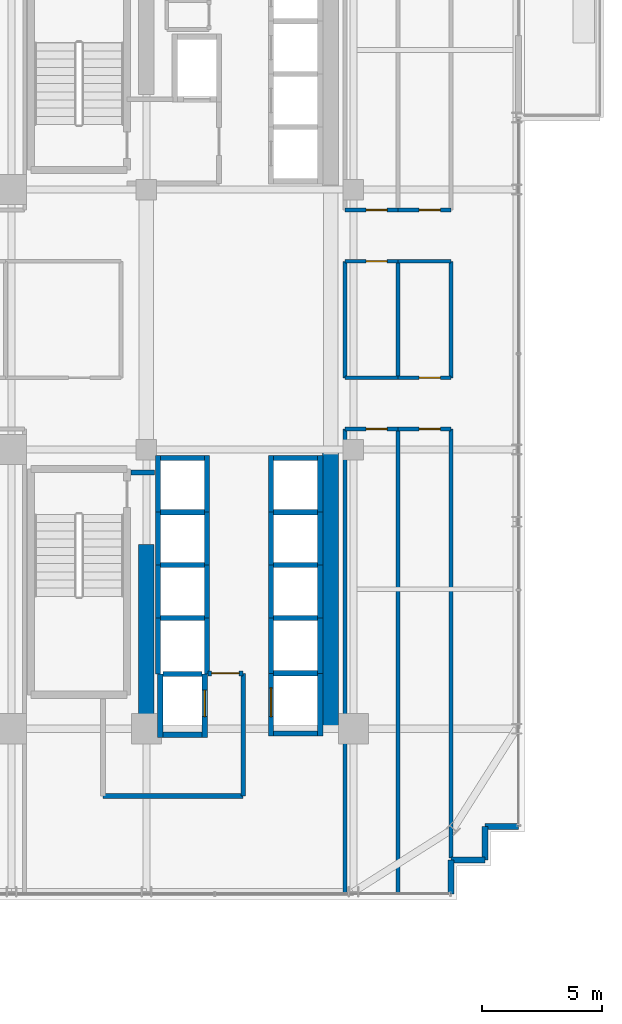
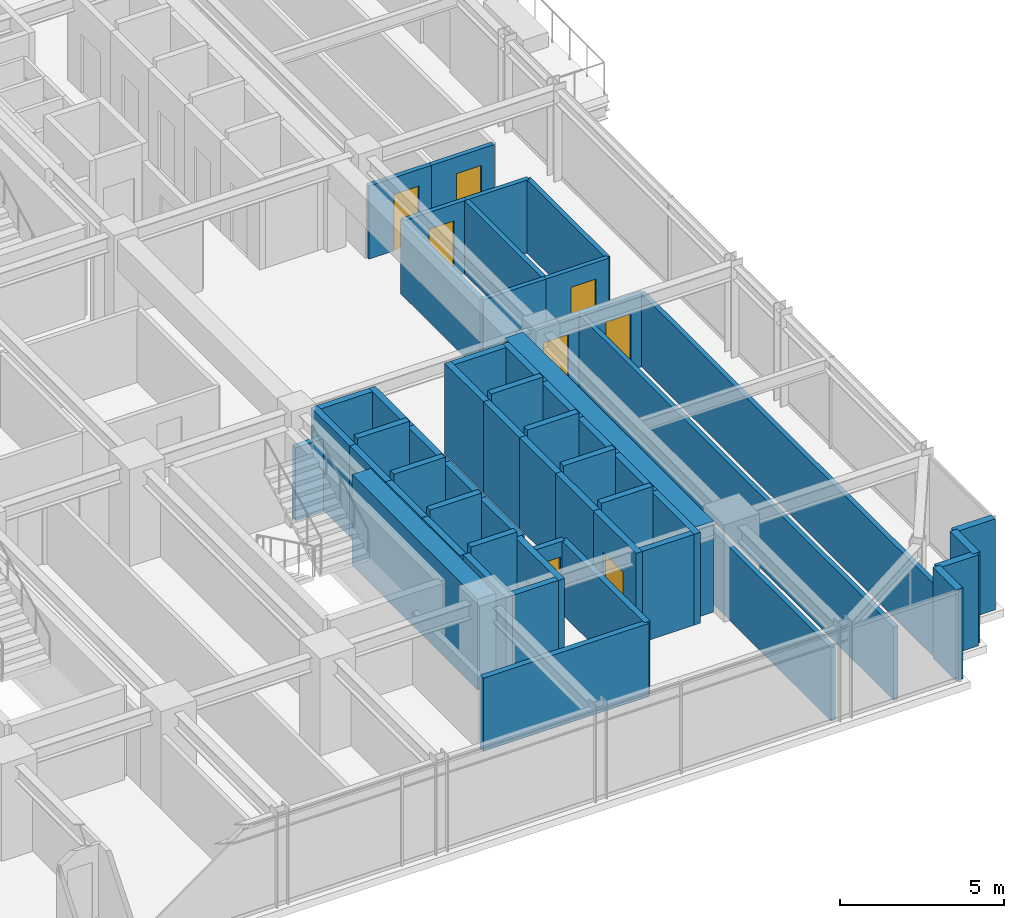
# One storey, part 28 of 33: 56 walls, 9 doors, 9 openings.
"""IFC4 building model written with IfcOpenShell, lengths in metres."""

from ifc_helpers import new_model, si_unit, direction, frame, frame_2d, origin, place, context, subcontext, project, spatial, rectangle, extrude, source, transform, mapped, material, layer, layer_set, type_object, element, fill, save


model = new_model("IFC4")

# Units and contexts
model_context = context("Model", 3, precision=1e-05, world=origin(), true_north=direction((0.0, 1.0)))
body_context = subcontext(model_context, "Body", "Model", "MODEL_VIEW")
ifc_project = project(units=[si_unit("LENGTHUNIT", "METRE"), si_unit("AREAUNIT", "SQUARE_METRE"), si_unit("VOLUMEUNIT", "CUBIC_METRE"), si_unit("PLANEANGLEUNIT", "RADIAN"), si_unit("MASSUNIT", "GRAM", prefix="KILO")], contexts=[model_context])

# Site, building, storey
site_placement = place(None, origin())
site = spatial("IfcSite", under=ifc_project, at=site_placement, CompositionType="ELEMENT")
building_placement = place(site_placement, origin())
building = spatial("IfcBuilding", under=site, at=building_placement, Name="Nahalor Promenade Grand Hotel", CompositionType="ELEMENT")
storey_placement = place(building_placement, frame((0.0, 0.0, 132.10009765625)))
storey = spatial("IfcBuildingStorey", under=building, at=storey_placement, Name="L33", CompositionType="ELEMENT", Elevation=132.10009765625)

# Walls
ifc_material_1 = material(Name="Concrete B-60 (C50/60)", Category="concrete")
ifc_layer_1 = layer(ifc_material_1, 0.64990234375)
ifc_layer_set_1 = layer_set([ifc_layer_1], Name="Concrete B-60 (C50/60)")
wall_type_1 = type_object("IfcWallType", Name="Wall-CoreShear-650", PredefinedType="SHEAR", material=ifc_layer_set_1)
shared_shape_1 = source(origin(), body_context, "Body", "SweptSolid", [
    extrude(rectangle(XDim=7.64990234375, YDim=0.64990234375, at=frame_2d((3.824951171875, 0.0))), origin(), (0.0, 0.0, 1.0), 3.3798828125),
])
wall_1_placement = place(storey_placement, frame((8.39990234375, -17.0, 0.0), z_axis=(0.0, 0.0, 1.0), x_axis=(0.0, 1.0, 0.0)))
element("IfcWall", 1, at=wall_1_placement, inside=storey, type_object=wall_type_1, Name="CWALL-L33-SW", PredefinedType="SHEAR", context=body_context, shape_type="MappedRepresentation", body=[
    mapped(shared_shape_1, transform((0.0, 0.0, 0.0), scale=1.0)),
])
shared_shape_2 = source(origin(), body_context, "Body", "SweptSolid", [
    extrude(rectangle(XDim=11.60009765625, YDim=0.64990234375, at=frame_2d((5.800048828125, 0.0))), origin(), (0.0, 0.0, 1.0), 3.3798828125),
])
wall_2_placement = place(storey_placement, frame((16.050048828125, -17.0, 0.0), z_axis=(0.0, 0.0, 1.0), x_axis=(0.0, 1.0, 0.0)))
element("IfcWall", 2, at=wall_2_placement, inside=storey, type_object=wall_type_1, Name="CWALL-L33-SE", PredefinedType="SHEAR", context=body_context, shape_type="MappedRepresentation", body=[
    mapped(shared_shape_2, transform((0.0, 0.0, 0.0), scale=1.0)),
])
ifc_material_2 = material(Name="Concrete B-50 (C40/50)", Category="concrete")
ifc_layer_2 = layer(ifc_material_2, 0.219970703125)
ifc_layer_set_2 = layer_set([ifc_layer_2], Name="Concrete B-50 (C40/50)")
wall_type_2 = type_object("IfcWallType", Name="Wall-LiftShaft-220", PredefinedType="SHEAR", material=ifc_layer_set_2)
shared_shape_3 = source(origin(), body_context, "Body", "SweptSolid", [
    extrude(rectangle(XDim=1.820068359375, YDim=0.219970703125, at=frame_2d((0.91015625, 0.0))), origin(), (0.0, 0.0, 1.0), 3.64990234375),
])
for number, where, z_axis, x_axis, name in (
    (3, (13.68994140625, -8.0, 0.0), (0.0, 0.0, 1.0), (1.0, 0.0, 0.0), "L33 Lift PL6 Hoistway Wall N"),
    (4, (13.68994140625, -10.199951171875, 0.0), (0.0, 0.0, 1.0), (1.0, 0.0, 0.0), "L33 Lift PL7 Hoistway Wall N"),
    (5, (13.68994140625, -12.39990234375, 0.0), (0.0, 0.0, 1.0), (1.0, 0.0, 0.0), "L33 Lift PL8 Hoistway Wall N"),
    (6, (8.989990234375, -8.0, 0.0), (0.0, 0.0, 1.0), (1.0, 0.0, 0.0), "L33 Lift PL10 Hoistway Wall N"),
    (7, (8.989990234375, -10.199951171875, 0.0), (0.0, 0.0, 1.0), (1.0, 0.0, 0.0), "L33 Lift PL11 Hoistway Wall N"),
    (8, (8.989990234375, -12.39990234375, 0.0), (0.0, 0.0, 1.0), (1.0, 0.0, 0.0), "L33 Lift PL12 Hoistway Wall N"),
    (9, (13.68994140625, -14.699951171875, 0.0), (0.0, 0.0, 1.0), (1.0, 0.0, 0.0), "L33 Lift SV2 Hoistway Wall N"),
):
    element("IfcWall", number, at=place(storey_placement, frame(where, z_axis=z_axis, x_axis=x_axis)), inside=storey, type_object=wall_type_2, Name=name, PredefinedType="SHEAR", context=body_context, shape_type="MappedRepresentation", body=[
        mapped(shared_shape_3, transform((0.0, 0.0, 0.0), scale=1.0)),
    ])
shared_shape_4 = source(origin(), body_context, "Body", "SweptSolid", [
    extrude(rectangle(XDim=2.360107421875, YDim=0.219970703125, at=frame_2d((1.18017578125, 0.0))), origin(), (0.0, 0.0, 1.0), 3.3798828125),
])
for number, where, z_axis, x_axis, name in (
    (10, (13.580078125, -8.0, 0.0), (0.0, 0.0, 1.0), (0.0, 1.0, 0.0), "L33 Lift PL5 Hoistway Wall W"),
    (11, (15.6201171875, -8.0, 0.0), (0.0, 0.0, 1.0), (0.0, 1.0, 0.0), "L33 Lift PL5 Hoistway Wall E"),
    (12, (8.8798828125, -8.0, 0.0), (0.0, 0.0, 1.0), (0.0, 1.0, 0.0), "L33 Lift PL9 Hoistway Wall W"),
    (13, (10.919921875, -8.0, 0.0), (0.0, 0.0, 1.0), (0.0, 1.0, 0.0), "L33 Lift PL9 Hoistway Wall E"),
):
    element("IfcWall", number, at=place(storey_placement, frame(where, z_axis=z_axis, x_axis=x_axis)), inside=storey, type_object=wall_type_2, Name=name, PredefinedType="SHEAR", context=body_context, shape_type="MappedRepresentation", body=[
        mapped(shared_shape_4, transform((0.0, 0.0, 0.0), scale=1.0)),
    ])
shared_shape_5 = source(origin(), body_context, "Body", "SweptSolid", [
    extrude(rectangle(XDim=1.820068359375, YDim=0.219970703125, at=frame_2d((0.91015625, 0.0))), origin(), (0.0, 0.0, 1.0), 3.3798828125),
])
for number, where, z_axis, x_axis, name in (
    (14, (13.68994140625, -5.75, 0.0), (0.0, 0.0, 1.0), (1.0, 0.0, 0.0), "L33 Lift PL5 Hoistway Wall N"),
    (15, (8.989990234375, -5.75, 0.0), (0.0, 0.0, 1.0), (1.0, 0.0, 0.0), "L33 Lift PL9 Hoistway Wall N"),
    (16, (13.68994140625, -17.199951171875, 0.0), (0.0, 0.0, 1.0), (1.0, 0.0, 0.0), "L33 Lift SV2 Hoistway Wall S"),
):
    element("IfcWall", number, at=place(storey_placement, frame(where, z_axis=z_axis, x_axis=x_axis)), inside=storey, type_object=wall_type_2, Name=name, PredefinedType="SHEAR", context=body_context, shape_type="MappedRepresentation", body=[
        mapped(shared_shape_5, transform((0.0, 0.0, 0.0), scale=1.0)),
    ])
shared_shape_6 = source(origin(), body_context, "Body", "SweptSolid", [
    extrude(rectangle(XDim=2.199951171875, YDim=0.219970703125, at=frame_2d((1.10009765625, 0.0))), origin(), (0.0, 0.0, 1.0), 3.3798828125),
])
for number, where, z_axis, x_axis, name in (
    (17, (13.580078125, -10.199951171875, 0.0), (0.0, 0.0, 1.0), (0.0, 1.0, 0.0), "L33 Lift PL6 Hoistway Wall W"),
    (18, (15.6201171875, -10.199951171875, 0.0), (0.0, 0.0, 1.0), (0.0, 1.0, 0.0), "L33 Lift PL6 Hoistway Wall E"),
    (19, (13.580078125, -12.39990234375, 0.0), (0.0, 0.0, 1.0), (0.0, 1.0, 0.0), "L33 Lift PL7 Hoistway Wall W"),
    (20, (15.6201171875, -12.39990234375, 0.0), (0.0, 0.0, 1.0), (0.0, 1.0, 0.0), "L33 Lift PL7 Hoistway Wall E"),
    (21, (8.8798828125, -10.199951171875, 0.0), (0.0, 0.0, 1.0), (0.0, 1.0, 0.0), "L33 Lift PL10 Hoistway Wall W"),
    (22, (10.919921875, -10.199951171875, 0.0), (0.0, 0.0, 1.0), (0.0, 1.0, 0.0), "L33 Lift PL10 Hoistway Wall E"),
    (23, (8.8798828125, -12.39990234375, 0.0), (0.0, 0.0, 1.0), (0.0, 1.0, 0.0), "L33 Lift PL11 Hoistway Wall W"),
    (24, (10.919921875, -12.39990234375, 0.0), (0.0, 0.0, 1.0), (0.0, 1.0, 0.0), "L33 Lift PL11 Hoistway Wall E"),
):
    element("IfcWall", number, at=place(storey_placement, frame(where, z_axis=z_axis, x_axis=x_axis)), inside=storey, type_object=wall_type_2, Name=name, PredefinedType="SHEAR", context=body_context, shape_type="MappedRepresentation", body=[
        mapped(shared_shape_6, transform((0.0, 0.0, 0.0), scale=1.0)),
    ])
shared_shape_7 = source(origin(), body_context, "Body", "SweptSolid", [
    extrude(rectangle(XDim=2.300048828125, YDim=0.219970703125, at=frame_2d((1.14990234375, 0.0))), origin(), (0.0, 0.0, 1.0), 3.3798828125),
])
for number, where, z_axis, x_axis, name in (
    (25, (13.580078125, -14.699951171875, 0.0), (0.0, 0.0, 1.0), (0.0, 1.0, 0.0), "L33 Lift PL8 Hoistway Wall W"),
    (26, (15.6201171875, -14.699951171875, 0.0), (0.0, 0.0, 1.0), (0.0, 1.0, 0.0), "L33 Lift PL8 Hoistway Wall E"),
):
    element("IfcWall", number, at=place(storey_placement, frame(where, z_axis=z_axis, x_axis=x_axis)), inside=storey, type_object=wall_type_2, Name=name, PredefinedType="SHEAR", context=body_context, shape_type="MappedRepresentation", body=[
        mapped(shared_shape_7, transform((0.0, 0.0, 0.0), scale=1.0)),
    ])
shared_shape_8 = source(origin(), body_context, "Body", "SweptSolid", [
    extrude(rectangle(XDim=2.3251953125, YDim=0.219970703125, at=frame_2d((1.16259765625, 0.0))), origin(), (0.0, 0.0, 1.0), 3.3798828125),
])
for number, where, z_axis, x_axis, name in (
    (27, (8.8798828125, -14.72509765625, 0.0), (0.0, 0.0, 1.0), (0.0, 1.0, 0.0), "L33 Lift PL12 Hoistway Wall W"),
    (28, (10.919921875, -14.72509765625, 0.0), (0.0, 0.0, 1.0), (0.0, 1.0, 0.0), "L33 Lift PL12 Hoistway Wall E"),
):
    element("IfcWall", number, at=place(storey_placement, frame(where, z_axis=z_axis, x_axis=x_axis)), inside=storey, type_object=wall_type_2, Name=name, PredefinedType="SHEAR", context=body_context, shape_type="MappedRepresentation", body=[
        mapped(shared_shape_8, transform((0.0, 0.0, 0.0), scale=1.0)),
    ])
shared_shape_9 = source(origin(), body_context, "Body", "SweptSolid", [
    extrude(rectangle(XDim=1.619873046875, YDim=0.219970703125, at=frame_2d((0.81005859375, 0.0))), origin(), (0.0, 0.0, 1.0), 3.64990234375),
])
wall_3_placement = place(storey_placement, frame((9.090087890625, -14.72509765625, 0.0), z_axis=(0.0, 0.0, 1.0), x_axis=(1.0, 0.0, 0.0)))
element("IfcWall", 29, at=wall_3_placement, inside=storey, type_object=wall_type_2, Name="L33 Lift FL2 Hoistway Wall N", PredefinedType="SHEAR", context=body_context, shape_type="MappedRepresentation", body=[
    mapped(shared_shape_9, transform((0.0, 0.0, 0.0), scale=1.0)),
])
shared_shape_10 = source(origin(), body_context, "Body", "SweptSolid", [
    extrude(rectangle(XDim=2.635009765625, YDim=0.219970703125, at=frame_2d((1.3173828125, 0.0))), origin(), (0.0, 0.0, 1.0), 3.3798828125),
])
wall_4_placement = place(storey_placement, frame((8.97998046875, -17.360107421875, 0.0), z_axis=(0.0, 0.0, 1.0), x_axis=(0.0, 1.0, 0.0)))
element("IfcWall", 30, at=wall_4_placement, inside=storey, type_object=wall_type_2, Name="L33 Lift FL2 Hoistway Wall W", PredefinedType="SHEAR", context=body_context, shape_type="MappedRepresentation", body=[
    mapped(shared_shape_10, transform((0.0, 0.0, 0.0), scale=1.0)),
])

# Wall, opening, door
wall_5_placement = place(storey_placement, frame((10.820068359375, -17.360107421875, 0.0), z_axis=(0.0, 0.0, 1.0), x_axis=(0.0, 1.0, 0.0)))
wall_5 = element("IfcWall", 31, at=wall_5_placement, inside=storey, type_object=wall_type_2, Name="L33 Lift FL2 Hoistway Wall E", PredefinedType="SHEAR", context=body_context, shape_type="MappedRepresentation", body=[
    mapped(shared_shape_10, transform((0.0, 0.0, 0.0), scale=1.0)),
])
opening_1_placement = place(wall_5_placement, frame((0.860107421875, 0.0, 0.0)))
opening_1 = element("IfcOpeningElement", 32, at=opening_1_placement, cuts=wall_5, Name="Opening LD-02", PredefinedType="OPENING", context=body_context, shape_type="SweptSolid", body=[
    extrude(rectangle(XDim=1.10009765625, YDim=2.199951171875, at=frame_2d((0.550048828125, 1.10009765625))), frame((0.0, 0.119873046875, 0.0), z_axis=(0.0, -1.0, 0.0), x_axis=(1.0, 0.0, 0.0)), (0.0, 0.0, 1.0), 0.239990234375),
])
ifc_material_3 = material(Name="Steel S355JR", Category="steel")
door_type_1 = type_object("IfcDoorType", Name="Door-LiftFF-1100", OperationType="DOUBLE_DOOR_SLIDING", PredefinedType="DOOR", material=ifc_material_3)
shared_shape_11 = source(origin(), body_context, "Body", "SweptSolid", [
    extrude(rectangle(XDim=1.10009765625, YDim=2.199951171875, at=frame_2d((0.550048828125, 1.10009765625))), frame((0.0, 0.02490234375, 0.0), z_axis=(0.0, -1.0, 0.0), x_axis=(1.0, 0.0, 0.0)), (0.0, 0.0, 1.0), 0.050048828125),
])
door_1_placement = place(opening_1_placement, frame((1.10009765625, 0.0, 0.0), z_axis=(0.0, 0.0, 1.0), x_axis=(-1.0, 0.0, 0.0)))
door_1 = element("IfcDoor", 33, at=door_1_placement, inside=storey, type_object=door_type_1, Name="DR-LIFT-FL2-L33", OperationType="DOUBLE_DOOR_SLIDING", OverallHeight=2.199951171875, OverallWidth=1.10009765625, PredefinedType="DOOR", context=body_context, shape_type="MappedRepresentation", body=[
    mapped(shared_shape_11, transform((0.0, 0.0, 0.0), scale=1.0)),
])
fill(opening_1, door_1)

# Wall
shared_shape_12 = source(origin(), body_context, "Body", "SweptSolid", [
    extrude(rectangle(XDim=1.619873046875, YDim=0.219970703125, at=frame_2d((0.81005859375, 0.0))), origin(), (0.0, 0.0, 1.0), 3.3798828125),
])
wall_6_placement = place(storey_placement, frame((9.090087890625, -17.25, 0.0), z_axis=(0.0, 0.0, 1.0), x_axis=(1.0, 0.0, 0.0)))
element("IfcWall", 34, at=wall_6_placement, inside=storey, type_object=wall_type_2, Name="L33 Lift FL2 Hoistway Wall S", PredefinedType="SHEAR", context=body_context, shape_type="MappedRepresentation", body=[
    mapped(shared_shape_12, transform((0.0, 0.0, 0.0), scale=1.0)),
])

# Wall, opening, door
shared_shape_13 = source(origin(), body_context, "Body", "SweptSolid", [
    extrude(rectangle(XDim=2.610107421875, YDim=0.219970703125, at=frame_2d((1.30517578125, 0.0))), origin(), (0.0, 0.0, 1.0), 3.3798828125),
])
wall_7_placement = place(storey_placement, frame((13.580078125, -17.31005859375, 0.0), z_axis=(0.0, 0.0, 1.0), x_axis=(0.0, 1.0, 0.0)))
wall_7 = element("IfcWall", 35, at=wall_7_placement, inside=storey, type_object=wall_type_2, Name="L33 Lift SV2 Hoistway Wall W", PredefinedType="SHEAR", context=body_context, shape_type="MappedRepresentation", body=[
    mapped(shared_shape_13, transform((0.0, 0.0, 0.0), scale=1.0)),
])
opening_2_placement = place(wall_7_placement, frame((0.81005859375, 0.0, 0.0)))
opening_2 = element("IfcOpeningElement", 36, at=opening_2_placement, cuts=wall_7, Name="Opening LD-03", PredefinedType="OPENING", context=body_context, shape_type="SweptSolid", body=[
    extrude(rectangle(XDim=1.199951171875, YDim=2.199951171875, at=frame_2d((0.60009765625, 1.10009765625))), frame((0.0, 0.119873046875, 0.0), z_axis=(0.0, -1.0, 0.0), x_axis=(1.0, 0.0, 0.0)), (0.0, 0.0, 1.0), 0.239990234375),
])
door_type_2 = type_object("IfcDoorType", Name="Door-LiftService-1200", OperationType="DOUBLE_DOOR_SLIDING", PredefinedType="DOOR", material=ifc_material_3)
shared_shape_14 = source(origin(), body_context, "Body", "SweptSolid", [
    extrude(rectangle(XDim=1.199951171875, YDim=2.199951171875, at=frame_2d((0.60009765625, 1.10009765625))), frame((0.0, 0.02490234375, 0.0), z_axis=(0.0, -1.0, 0.0), x_axis=(1.0, 0.0, 0.0)), (0.0, 0.0, 1.0), 0.050048828125),
])
door_2_placement = place(opening_2_placement, origin())
door_2 = element("IfcDoor", 37, at=door_2_placement, inside=storey, type_object=door_type_2, Name="DR-LIFT-SV2-L33", OperationType="DOUBLE_DOOR_SLIDING", OverallHeight=2.199951171875, OverallWidth=1.199951171875, PredefinedType="DOOR", context=body_context, shape_type="MappedRepresentation", body=[
    mapped(shared_shape_14, transform((0.0, 0.0, 0.0), scale=1.0)),
])
fill(opening_2, door_2)

# Walls
wall_8_placement = place(storey_placement, frame((15.6201171875, -17.31005859375, 0.0), z_axis=(0.0, 0.0, 1.0), x_axis=(0.0, 1.0, 0.0)))
element("IfcWall", 38, at=wall_8_placement, inside=storey, type_object=wall_type_2, Name="L33 Lift SV2 Hoistway Wall E", PredefinedType="SHEAR", context=body_context, shape_type="MappedRepresentation", body=[
    mapped(shared_shape_13, transform((0.0, 0.0, 0.0), scale=1.0)),
])
ifc_material_4 = material(Name="Concrete B-40 (C32/40)", Category="concrete")
ifc_layer_3 = layer(ifc_material_4, 0.25)
ifc_layer_set_3 = layer_set([ifc_layer_3], Name="Concrete B-40 (C32/40)")
wall_type_3 = type_object("IfcWallType", Name="Wall-BronzePier-250", PredefinedType="STANDARD", material=ifc_layer_set_3)
shared_shape_15 = source(origin(), body_context, "Body", "SweptSolid", [
    extrude(rectangle(XDim=1.400146484375, YDim=0.25, at=frame_2d((0.7001953125, 0.0))), origin(), (0.0, 0.0, 1.0), 3.3798828125),
])
for number, where, z_axis, x_axis, name in (
    (39, (21.06005859375, -23.860107421875, 0.0), (0.0, 0.0, 1.0), (0.0, 1.0, 0.0), "W-L33-SR-01"),
    (40, (22.4599609375, -21.06005859375, 0.0), (0.0, 0.0, 1.0), (1.0, 0.0, 0.0), "W-L33-SR-04"),
):
    element("IfcWall", number, at=place(storey_placement, frame(where, z_axis=z_axis, x_axis=x_axis)), inside=storey, type_object=wall_type_3, Name=name, PredefinedType="STANDARD", context=body_context, shape_type="MappedRepresentation", body=[
        mapped(shared_shape_15, transform((0.0, 0.0, 0.0), scale=1.0)),
    ])
shared_shape_16 = source(origin(), body_context, "Body", "SweptSolid", [
    extrude(rectangle(XDim=1.39990234375, YDim=0.25, at=frame_2d((0.699951171875, 0.0))), origin(), (0.0, 0.0, 1.0), 3.3798828125),
])
for number, where, z_axis, x_axis, name in (
    (41, (21.06005859375, -22.4599609375, 0.0), (0.0, 0.0, 1.0), (1.0, 0.0, 0.0), "W-L33-SR-02"),
    (42, (22.4599609375, -22.4599609375, 0.0), (0.0, 0.0, 1.0), (0.0, 1.0, 0.0), "W-L33-SR-03"),
):
    element("IfcWall", number, at=place(storey_placement, frame(where, z_axis=z_axis, x_axis=x_axis)), inside=storey, type_object=wall_type_3, Name=name, PredefinedType="STANDARD", context=body_context, shape_type="MappedRepresentation", body=[
        mapped(shared_shape_16, transform((0.0, 0.0, 0.0), scale=1.0)),
    ])
ifc_layer_4 = layer(ifc_material_4, 0.199951171875)
ifc_layer_set_4 = layer_set([ifc_layer_4], Name="Concrete B-40 (C32/40)")
wall_type_4 = type_object("IfcWallType", Name="Wall-PartFire-200", PredefinedType="PARTITIONING", material=ifc_layer_set_4)
shared_shape_17 = source(origin(), body_context, "Body", "SweptSolid", [
    extrude(rectangle(XDim=5.81982421875, YDim=0.199951171875, at=frame_2d((2.909912109375, 0.0))), origin(), (0.0, 0.0, 1.0), 2.719970703125),
])
wall_9_placement = place(storey_placement, frame((6.60009765625, -19.800048828125, 0.0), z_axis=(0.0, 0.0, 1.0), x_axis=(1.0, 0.0, 0.0)))
element("IfcWall", 43, at=wall_9_placement, inside=storey, type_object=wall_type_4, Name="W-L33-FF2-S1", PredefinedType="PARTITIONING", context=body_context, shape_type="MappedRepresentation", body=[
    mapped(shared_shape_17, transform((0.0, 0.0, 0.0), scale=1.0)),
])
shared_shape_18 = source(origin(), body_context, "Body", "SweptSolid", [
    extrude(rectangle(XDim=5.10009765625, YDim=0.199951171875, at=frame_2d((2.550048828125, 0.0))), origin(), (0.0, 0.0, 1.0), 2.719970703125),
])
wall_10_placement = place(storey_placement, frame((12.419921875, -19.800048828125, 0.0), z_axis=(0.0, 0.0, 1.0), x_axis=(0.0, 1.0, 0.0)))
element("IfcWall", 44, at=wall_10_placement, inside=storey, type_object=wall_type_4, Name="W-L33-FF2-E", PredefinedType="PARTITIONING", context=body_context, shape_type="MappedRepresentation", body=[
    mapped(shared_shape_18, transform((0.0, 0.0, 0.0), scale=1.0)),
])

# Wall, opening, door
shared_shape_19 = source(origin(), body_context, "Body", "SweptSolid", [
    extrude(rectangle(XDim=1.4599609375, YDim=0.199951171875, at=frame_2d((0.72998046875, 0.0))), origin(), (0.0, 0.0, 1.0), 2.719970703125),
])
wall_11_placement = place(storey_placement, frame((10.9599609375, -14.699951171875, 0.0), z_axis=(0.0, 0.0, 1.0), x_axis=(1.0, 0.0, 0.0)))
wall_11 = element("IfcWall", 45, at=wall_11_placement, inside=storey, type_object=wall_type_4, Name="W-L33-FF2-N1", PredefinedType="PARTITIONING", context=body_context, shape_type="MappedRepresentation", body=[
    mapped(shared_shape_19, transform((0.0, 0.0, 0.0), scale=1.0)),
])
opening_3_placement = place(wall_11_placement, frame((0.14501953125, 0.0, 0.0)))
opening_3 = element("IfcOpeningElement", 46, at=opening_3_placement, cuts=wall_11, Name="Opening D-FF1", PredefinedType="OPENING", context=body_context, shape_type="SweptSolid", body=[
    extrude(rectangle(XDim=1.14990234375, YDim=2.14990234375, at=frame_2d((0.574951171875, 1.074951171875))), frame((0.0, 0.10986328125, 0.0), z_axis=(0.0, -1.0, 0.0), x_axis=(1.0, 0.0, 0.0)), (0.0, 0.0, 1.0), 0.219970703125),
])
door_type_3 = type_object("IfcDoorType", Name="Door-FFLobby-1150", OperationType="NOTDEFINED", PredefinedType="DOOR", material=ifc_material_3)
shared_shape_20 = source(origin(), body_context, "Body", "SweptSolid", [
    extrude(rectangle(XDim=1.14990234375, YDim=2.14990234375, at=frame_2d((0.574951171875, 1.074951171875))), frame((0.0, 0.02490234375, 0.0), z_axis=(0.0, -1.0, 0.0), x_axis=(1.0, 0.0, 0.0)), (0.0, 0.0, 1.0), 0.050048828125),
])
door_3_placement = place(opening_3_placement, origin())
door_3 = element("IfcDoor", 47, at=door_3_placement, inside=storey, type_object=door_type_3, Name="DR-L33-FFL2", OperationType="SINGLE_SWING_LEFT", OverallHeight=2.14990234375, OverallWidth=1.14990234375, PredefinedType="DOOR", context=body_context, shape_type="MappedRepresentation", body=[
    mapped(shared_shape_20, transform((0.0, 0.0, 0.0), scale=1.0)),
])
fill(opening_3, door_3)

# Walls
shared_shape_21 = source(origin(), body_context, "Body", "SweptSolid", [
    extrude(rectangle(XDim=0.969970703125, YDim=0.199951171875, at=frame_2d((0.48486328125, 0.0))), origin(), (0.0, 0.0, 1.0), 2.719970703125),
])
wall_12_placement = place(storey_placement, frame((7.77001953125, -6.35009765625, 0.0), z_axis=(0.0, 0.0, 1.0), x_axis=(1.0, 0.0, 0.0)))
element("IfcWall", 48, at=wall_12_placement, inside=storey, type_object=wall_type_4, Name="W-L33-FF2-N2", PredefinedType="PARTITIONING", context=body_context, shape_type="MappedRepresentation", body=[
    mapped(shared_shape_21, transform((0.0, 0.0, 0.0), scale=1.0)),
])
ifc_material_5 = material(Name="Acoustic Mineral Gypsum", Category="gypsum")
ifc_layer_5 = layer(ifc_material_5, 0.159912109375)
ifc_layer_set_5 = layer_set([ifc_layer_5], Name="Acoustic Mineral Gypsum")
wall_type_5 = type_object("IfcWallType", Name="Wall-PartCorridor-160", PredefinedType="PARTITIONING", material=ifc_layer_set_5)
shared_shape_22 = source(origin(), body_context, "Body", "SweptSolid", [
    extrude(rectangle(XDim=19.25, YDim=0.159912109375, at=frame_2d((9.625, 0.0))), origin(), (0.0, 0.0, 1.0), 2.719970703125),
])
for number, where, z_axis, x_axis, name in (
    (49, (16.64990234375, -23.800048828125, 0.0), (0.0, 0.0, 1.0), (0.0, 1.0, 0.0), "W-L33-ESE1-W"),
    (50, (18.85498046875, -23.800048828125, 0.0), (0.0, 0.0, 1.0), (0.0, 1.0, 0.0), "W-L33-ESE1-E"),
):
    element("IfcWall", number, at=place(storey_placement, frame(where, z_axis=z_axis, x_axis=x_axis)), inside=storey, type_object=wall_type_5, Name=name, PredefinedType="PARTITIONING", context=body_context, shape_type="MappedRepresentation", body=[
        mapped(shared_shape_22, transform((0.0, 0.0, 0.0), scale=1.0)),
    ])
shared_shape_23 = source(origin(), body_context, "Body", "SweptSolid", [
    extrude(rectangle(XDim=17.829833984375, YDim=0.159912109375, at=frame_2d((8.9150390625, 0.0))), origin(), (0.0, 0.0, 1.0), 2.719970703125),
])
wall_13_placement = place(storey_placement, frame((21.06005859375, -22.3798828125, 0.0), z_axis=(0.0, 0.0, 1.0), x_axis=(0.0, 1.0, 0.0)))
element("IfcWall", 51, at=wall_13_placement, inside=storey, type_object=wall_type_5, Name="W-L33-ESE2-E", PredefinedType="PARTITIONING", context=body_context, shape_type="MappedRepresentation", body=[
    mapped(shared_shape_23, transform((0.0, 0.0, 0.0), scale=1.0)),
])
shared_shape_24 = source(origin(), body_context, "Body", "SweptSolid", [
    extrude(rectangle(XDim=4.83984375, YDim=0.159912109375, at=frame_2d((2.419921875, 0.0))), origin(), (0.0, 0.0, 1.0), 2.719970703125),
])
for number, where, z_axis, x_axis, name in (
    (52, (16.64990234375, -2.419921875, 0.0), (0.0, 0.0, 1.0), (0.0, 1.0, 0.0), "W-L33-ECW1-W"),
    (53, (18.85498046875, -2.419921875, 0.0), (0.0, 0.0, 1.0), (0.0, 1.0, 0.0), "W-L33-ECW1-E"),
    (54, (21.06005859375, -2.419921875, 0.0), (0.0, 0.0, 1.0), (0.0, 1.0, 0.0), "W-L33-ECW2-E"),
):
    element("IfcWall", number, at=place(storey_placement, frame(where, z_axis=z_axis, x_axis=x_axis)), inside=storey, type_object=wall_type_5, Name=name, PredefinedType="PARTITIONING", context=body_context, shape_type="MappedRepresentation", body=[
        mapped(shared_shape_24, transform((0.0, 0.0, 0.0), scale=1.0)),
    ])

# Wall, opening, door
shared_shape_25 = source(origin(), body_context, "Body", "SweptSolid", [
    extrude(rectangle(XDim=2.205078125, YDim=0.159912109375, at=frame_2d((1.1025390625, 0.0))), origin(), (0.0, 0.0, 1.0), 2.719970703125),
])
wall_14_placement = place(storey_placement, frame((16.64990234375, 4.550048828125, 0.0), z_axis=(0.0, 0.0, 1.0), x_axis=(1.0, 0.0, 0.0)))
wall_14 = element("IfcWall", 55, at=wall_14_placement, inside=storey, type_object=wall_type_5, Name="W-L33-ENE1-S", PredefinedType="PARTITIONING", context=body_context, shape_type="MappedRepresentation", body=[
    mapped(shared_shape_25, transform((0.0, 0.0, 0.0), scale=1.0)),
])
opening_4_placement = place(wall_14_placement, frame((0.875, 0.0, 0.0)))
opening_4 = element("IfcOpeningElement", 56, at=opening_4_placement, cuts=wall_14, Name="Opening D-03", PredefinedType="OPENING", context=body_context, shape_type="SweptSolid", body=[
    extrude(rectangle(XDim=0.8798828125, YDim=2.10009765625, at=frame_2d((0.43994140625, 1.050048828125))), frame((0.0, 0.08984375, 0.0), z_axis=(0.0, -1.0, 0.0), x_axis=(1.0, 0.0, 0.0)), (0.0, 0.0, 1.0), 0.179931640625),
])
ifc_material_6 = material(Name="Fire-Rated Timber Composite", Category="wood")
door_type_4 = type_object("IfcDoorType", Name="Door-BathSwing-880", OperationType="NOTDEFINED", PredefinedType="DOOR", material=ifc_material_6)
shared_shape_26 = source(origin(), body_context, "Body", "SweptSolid", [
    extrude(rectangle(XDim=0.8798828125, YDim=2.10009765625, at=frame_2d((0.43994140625, 1.050048828125))), frame((0.0, 0.02490234375, 0.0), z_axis=(0.0, -1.0, 0.0), x_axis=(1.0, 0.0, 0.0)), (0.0, 0.0, 1.0), 0.050048828125),
])
door_4_placement = place(opening_4_placement, origin())
door_4 = element("IfcDoor", 57, at=door_4_placement, inside=storey, type_object=door_type_4, Name="DR-L33-ENE1", OperationType="SINGLE_SWING_LEFT", OverallHeight=2.10009765625, OverallWidth=0.8798828125, PredefinedType="DOOR", context=body_context, shape_type="MappedRepresentation", body=[
    mapped(shared_shape_26, transform((0.0, 0.0, 0.0), scale=1.0)),
])
fill(opening_4, door_4)

wall_15_placement = place(storey_placement, frame((18.85498046875, 4.550048828125, 0.0), z_axis=(0.0, 0.0, 1.0), x_axis=(1.0, 0.0, 0.0)))
wall_15 = element("IfcWall", 58, at=wall_15_placement, inside=storey, type_object=wall_type_5, Name="W-L33-ENE2-S", PredefinedType="PARTITIONING", context=body_context, shape_type="MappedRepresentation", body=[
    mapped(shared_shape_25, transform((0.0, 0.0, 0.0), scale=1.0)),
])
opening_5_placement = place(wall_15_placement, frame((0.875, 0.0, 0.0)))
opening_5 = element("IfcOpeningElement", 59, at=opening_5_placement, cuts=wall_15, Name="Opening D-03", PredefinedType="OPENING", context=body_context, shape_type="SweptSolid", body=[
    extrude(rectangle(XDim=0.8798828125, YDim=2.10009765625, at=frame_2d((0.43994140625, 1.050048828125))), frame((0.0, 0.08984375, 0.0), z_axis=(0.0, -1.0, 0.0), x_axis=(1.0, 0.0, 0.0)), (0.0, 0.0, 1.0), 0.179931640625),
])
door_5_placement = place(opening_5_placement, origin())
door_5 = element("IfcDoor", 60, at=door_5_placement, inside=storey, type_object=door_type_4, Name="DR-L33-ENE2", OperationType="SINGLE_SWING_RIGHT", OverallHeight=2.10009765625, OverallWidth=0.8798828125, PredefinedType="DOOR", context=body_context, shape_type="MappedRepresentation", body=[
    mapped(shared_shape_26, transform((0.0, 0.0, 0.0), scale=1.0)),
])
fill(opening_5, door_5)

wall_16_placement = place(storey_placement, frame((16.64990234375, -4.550048828125, 0.0), z_axis=(0.0, 0.0, 1.0), x_axis=(1.0, 0.0, 0.0)))
wall_16 = element("IfcWall", 61, at=wall_16_placement, inside=storey, type_object=wall_type_5, Name="W-L33-ESE1-N", PredefinedType="PARTITIONING", context=body_context, shape_type="MappedRepresentation", body=[
    mapped(shared_shape_25, transform((0.0, 0.0, 0.0), scale=1.0)),
])
opening_6_placement = place(wall_16_placement, frame((0.875, 0.0, 0.0)))
opening_6 = element("IfcOpeningElement", 62, at=opening_6_placement, cuts=wall_16, Name="Opening D-03", PredefinedType="OPENING", context=body_context, shape_type="SweptSolid", body=[
    extrude(rectangle(XDim=0.8798828125, YDim=2.10009765625, at=frame_2d((0.43994140625, 1.050048828125))), frame((0.0, 0.08984375, 0.0), z_axis=(0.0, -1.0, 0.0), x_axis=(1.0, 0.0, 0.0)), (0.0, 0.0, 1.0), 0.179931640625),
])
door_6_placement = place(opening_6_placement, frame((0.8798828125, 0.0, 0.0), z_axis=(0.0, 0.0, 1.0), x_axis=(-1.0, 0.0, 0.0)))
door_6 = element("IfcDoor", 63, at=door_6_placement, inside=storey, type_object=door_type_4, Name="DR-L33-ESE1", OperationType="SINGLE_SWING_LEFT", OverallHeight=2.10009765625, OverallWidth=0.8798828125, PredefinedType="DOOR", context=body_context, shape_type="MappedRepresentation", body=[
    mapped(shared_shape_26, transform((0.0, 0.0, 0.0), scale=1.0)),
])
fill(opening_6, door_6)

wall_17_placement = place(storey_placement, frame((18.85498046875, -4.550048828125, 0.0), z_axis=(0.0, 0.0, 1.0), x_axis=(1.0, 0.0, 0.0)))
wall_17 = element("IfcWall", 64, at=wall_17_placement, inside=storey, type_object=wall_type_5, Name="W-L33-ESE2-N", PredefinedType="PARTITIONING", context=body_context, shape_type="MappedRepresentation", body=[
    mapped(shared_shape_25, transform((0.0, 0.0, 0.0), scale=1.0)),
])
opening_7_placement = place(wall_17_placement, frame((0.875, 0.0, 0.0)))
opening_7 = element("IfcOpeningElement", 65, at=opening_7_placement, cuts=wall_17, Name="Opening D-03", PredefinedType="OPENING", context=body_context, shape_type="SweptSolid", body=[
    extrude(rectangle(XDim=0.8798828125, YDim=2.10009765625, at=frame_2d((0.43994140625, 1.050048828125))), frame((0.0, 0.08984375, 0.0), z_axis=(0.0, -1.0, 0.0), x_axis=(1.0, 0.0, 0.0)), (0.0, 0.0, 1.0), 0.179931640625),
])
door_7_placement = place(opening_7_placement, frame((0.8798828125, 0.0, 0.0), z_axis=(0.0, 0.0, 1.0), x_axis=(-1.0, 0.0, 0.0)))
door_7 = element("IfcDoor", 66, at=door_7_placement, inside=storey, type_object=door_type_4, Name="DR-L33-ESE2", OperationType="SINGLE_SWING_RIGHT", OverallHeight=2.10009765625, OverallWidth=0.8798828125, PredefinedType="DOOR", context=body_context, shape_type="MappedRepresentation", body=[
    mapped(shared_shape_26, transform((0.0, 0.0, 0.0), scale=1.0)),
])
fill(opening_7, door_7)

# Wall
wall_18_placement = place(storey_placement, frame((16.64990234375, -2.419921875, 0.0), z_axis=(0.0, 0.0, 1.0), x_axis=(1.0, 0.0, 0.0)))
element("IfcWall", 67, at=wall_18_placement, inside=storey, type_object=wall_type_5, Name="W-L33-ECW1-S", PredefinedType="PARTITIONING", context=body_context, shape_type="MappedRepresentation", body=[
    mapped(shared_shape_25, transform((0.0, 0.0, 0.0), scale=1.0)),
])

# Wall, opening, door
wall_19_placement = place(storey_placement, frame((16.64990234375, 2.419921875, 0.0), z_axis=(0.0, 0.0, 1.0), x_axis=(1.0, 0.0, 0.0)))
wall_19 = element("IfcWall", 68, at=wall_19_placement, inside=storey, type_object=wall_type_5, Name="W-L33-ECW1-N", PredefinedType="PARTITIONING", context=body_context, shape_type="MappedRepresentation", body=[
    mapped(shared_shape_25, transform((0.0, 0.0, 0.0), scale=1.0)),
])
opening_8_placement = place(wall_19_placement, frame((0.875, 0.0, 0.0)))
opening_8 = element("IfcOpeningElement", 69, at=opening_8_placement, cuts=wall_19, Name="Opening D-03", PredefinedType="OPENING", context=body_context, shape_type="SweptSolid", body=[
    extrude(rectangle(XDim=0.8798828125, YDim=2.10009765625, at=frame_2d((0.43994140625, 1.050048828125))), frame((0.0, 0.08984375, 0.0), z_axis=(0.0, -1.0, 0.0), x_axis=(1.0, 0.0, 0.0)), (0.0, 0.0, 1.0), 0.179931640625),
])
door_8_placement = place(opening_8_placement, frame((0.8798828125, 0.0, 0.0), z_axis=(0.0, 0.0, 1.0), x_axis=(-1.0, 0.0, 0.0)))
door_8 = element("IfcDoor", 70, at=door_8_placement, inside=storey, type_object=door_type_4, Name="DR-L33-ECW1", OperationType="SINGLE_SWING_RIGHT", OverallHeight=2.10009765625, OverallWidth=0.8798828125, PredefinedType="DOOR", context=body_context, shape_type="MappedRepresentation", body=[
    mapped(shared_shape_26, transform((0.0, 0.0, 0.0), scale=1.0)),
])
fill(opening_8, door_8)

wall_20_placement = place(storey_placement, frame((18.85498046875, -2.419921875, 0.0), z_axis=(0.0, 0.0, 1.0), x_axis=(1.0, 0.0, 0.0)))
wall_20 = element("IfcWall", 71, at=wall_20_placement, inside=storey, type_object=wall_type_5, Name="W-L33-ECW2-S", PredefinedType="PARTITIONING", context=body_context, shape_type="MappedRepresentation", body=[
    mapped(shared_shape_25, transform((0.0, 0.0, 0.0), scale=1.0)),
])
opening_9_placement = place(wall_20_placement, frame((0.875, 0.0, 0.0)))
opening_9 = element("IfcOpeningElement", 72, at=opening_9_placement, cuts=wall_20, Name="Opening D-03", PredefinedType="OPENING", context=body_context, shape_type="SweptSolid", body=[
    extrude(rectangle(XDim=0.8798828125, YDim=2.10009765625, at=frame_2d((0.43994140625, 1.050048828125))), frame((0.0, 0.08984375, 0.0), z_axis=(0.0, -1.0, 0.0), x_axis=(1.0, 0.0, 0.0)), (0.0, 0.0, 1.0), 0.179931640625),
])
door_9_placement = place(opening_9_placement, origin())
door_9 = element("IfcDoor", 73, at=door_9_placement, inside=storey, type_object=door_type_4, Name="DR-L33-ECW2", OperationType="SINGLE_SWING_LEFT", OverallHeight=2.10009765625, OverallWidth=0.8798828125, PredefinedType="DOOR", context=body_context, shape_type="MappedRepresentation", body=[
    mapped(shared_shape_26, transform((0.0, 0.0, 0.0), scale=1.0)),
])
fill(opening_9, door_9)

# Wall
wall_21_placement = place(storey_placement, frame((18.85498046875, 2.419921875, 0.0), z_axis=(0.0, 0.0, 1.0), x_axis=(1.0, 0.0, 0.0)))
element("IfcWall", 74, at=wall_21_placement, inside=storey, type_object=wall_type_5, Name="W-L33-ECW2-N", PredefinedType="PARTITIONING", context=body_context, shape_type="MappedRepresentation", body=[
    mapped(shared_shape_25, transform((0.0, 0.0, 0.0), scale=1.0)),
])

save(model, "model.ifc")
